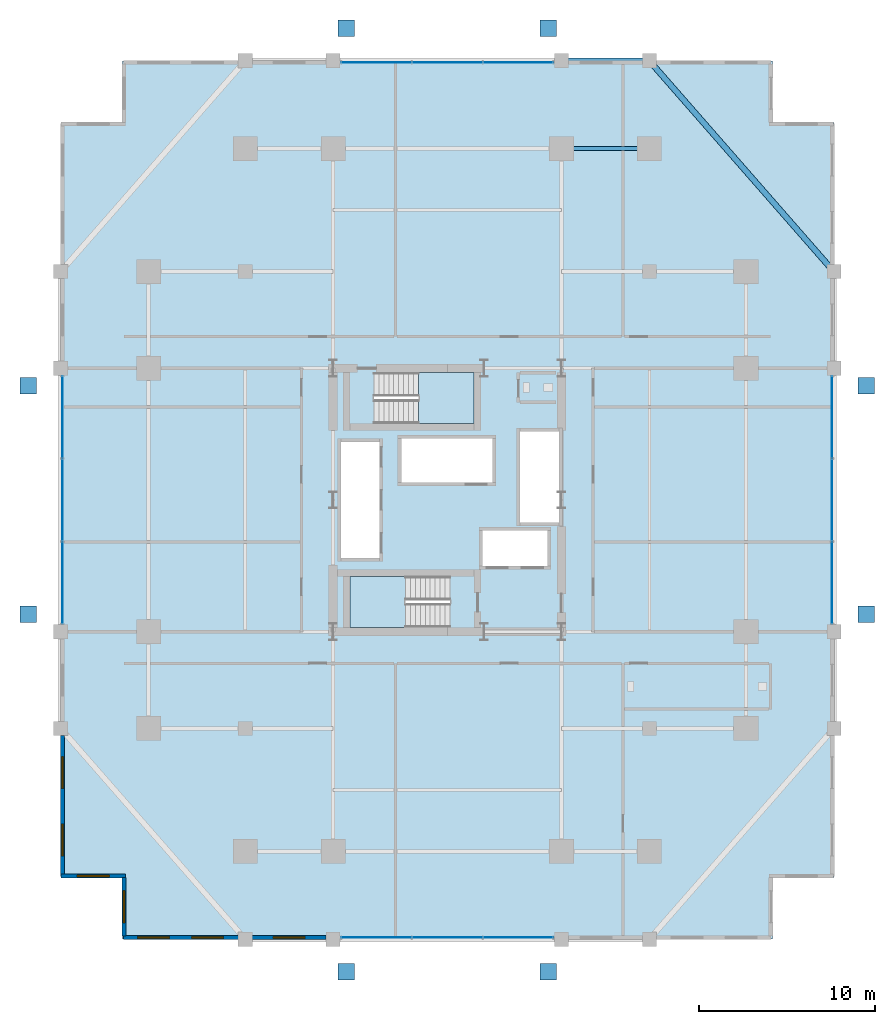
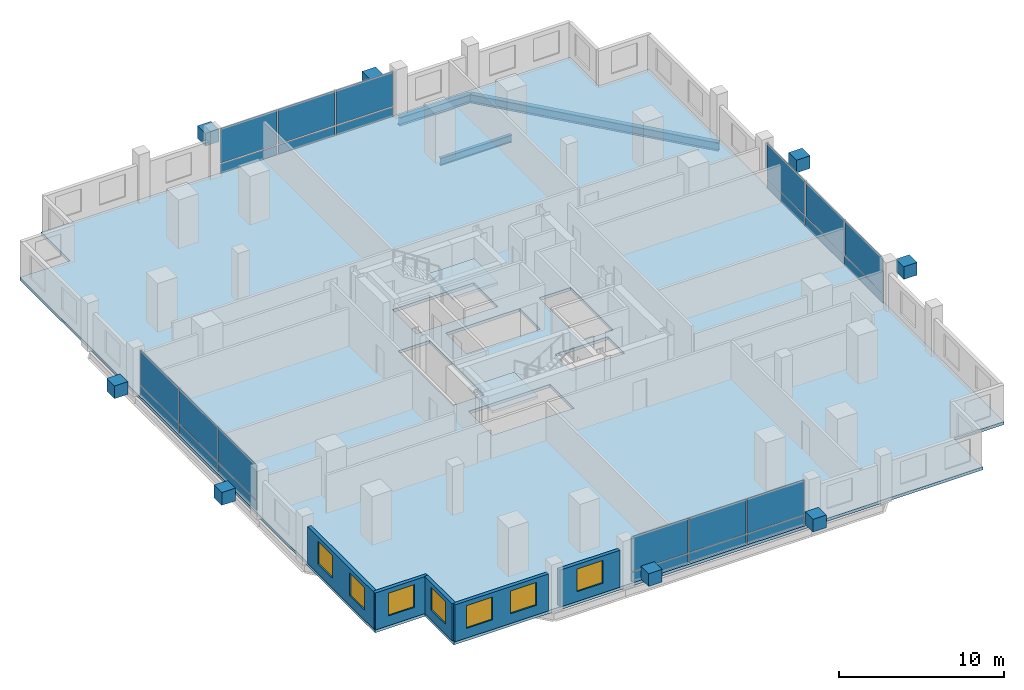
# One storey, part 16 of 21: 32 plates, 7 windows, 5 walls, 3 beams, 3 slabs, 7 openings, 6 elements without a shape of their own.
"""IFC4 building model written with IfcOpenShell, lengths in metres."""

import ifcopenshell
import ifcopenshell.guid

model = None  # the IFC model being written
_history = None  # IfcOwnerHistory: only IFC2X3 demands one
_inside = {}  # id of a spatial element -> (the spatial element, [elements in it])
_under = {}  # id of a project, library or spatial element -> (it, [spatial elements below it])
_declared = {}  # id of a project -> (the project, [libraries it declares])
_typed = {}  # id of a type object -> (the type object, [elements of that type])
_made_of = {}  # id of a material, layer set ... -> (it, [elements and type objects made of it])


def new_model(schema):
    """Start an empty IFC model of exactly this schema.

    Asked for "IFC4X3", IfcOpenShell would pick the latest addendum, in which some entities
    have other attributes; the version numbers below select the first issue.
    IFC2X3 requires an IfcOwnerHistory on every rooted entity: one is made here for all.
    """
    global model, _history
    if schema == "IFC4X3":
        model = ifcopenshell.file(schema_version=(4, 3, 0, 0))
    else:
        model = ifcopenshell.file(schema=schema)
    _inside.clear()
    _under.clear()
    _declared.clear()
    _typed.clear()
    _made_of.clear()
    _history = None
    if model.schema == "IFC2X3":
        org = make("IfcOrganization", Name="unknown")
        user = make(
            "IfcPersonAndOrganization",
            ThePerson=make("IfcPerson", FamilyName="unknown"),
            TheOrganization=org,
        )
        app = make(
            "IfcApplication",
            ApplicationDeveloper=org,
            Version="unknown",
            ApplicationFullName="unknown",
            ApplicationIdentifier="unknown",
        )
        _history = make(
            "IfcOwnerHistory",
            OwningUser=user,
            OwningApplication=app,
            ChangeAction="ADDED",
            CreationDate=0,
        )
    return model


def make(cls, **values):
    """One entity of the class cls with the attributes given. An attribute that is None is left unset."""
    return model.create_entity(
        cls, **{name: value for name, value in values.items() if value is not None}
    )


def rooted(cls, **values):
    """An entity with a GlobalId (a new one), such as an element, a storey or a relation."""
    return make(cls, GlobalId=ifcopenshell.guid.new(), OwnerHistory=_history, **values)


def si_unit(unit_type, name, prefix=None):
    """IfcSIUnit, for example si_unit("LENGTHUNIT", "METRE", prefix="MILLI")."""
    return make("IfcSIUnit", UnitType=unit_type, Prefix=prefix, Name=name)


def assignment(units):
    """IfcUnitAssignment: the units of a project."""
    return None if units is None else make("IfcUnitAssignment", Units=units)


def point(xyz):
    """IfcCartesianPoint."""
    return None if xyz is None else make("IfcCartesianPoint", Coordinates=xyz)


def direction(xyz):
    """IfcDirection."""
    return None if xyz is None else make("IfcDirection", DirectionRatios=xyz)


def frame(location, z_axis=None, x_axis=None):
    """IfcAxis2Placement3D, a coordinate frame: its origin and axes. An axis left out is left unset."""
    return make(
        "IfcAxis2Placement3D",
        Location=point(location),
        Axis=direction(z_axis),
        RefDirection=direction(x_axis),
    )


def frame_2d(location, x_axis=None):
    """IfcAxis2Placement2D, a coordinate frame in the plane: its origin and x axis."""
    return make(
        "IfcAxis2Placement2D", Location=point(location), RefDirection=direction(x_axis)
    )


def origin():
    """The frame at (0, 0, 0) with its axes left unset."""
    return frame((0.0, 0.0, 0.0))


def origin_2d():
    """The frame at (0, 0) in the plane with its x axis left unset."""
    return frame_2d((0.0, 0.0))


def place(relative_to, where):
    """IfcLocalPlacement: puts the frame where relative to a parent placement (None: the world)."""
    return make(
        "IfcLocalPlacement", PlacementRelTo=relative_to, RelativePlacement=where
    )


def context(
    kind, dimensions, precision=None, world=None, true_north=None, identifier=None
):
    """IfcGeometricRepresentationContext, for example the 3D "Model" context."""
    return make(
        "IfcGeometricRepresentationContext",
        ContextIdentifier=identifier,
        ContextType=kind,
        CoordinateSpaceDimension=dimensions,
        Precision=precision,
        WorldCoordinateSystem=world,
        TrueNorth=true_north,
    )


def subcontext(parent, identifier, kind, view, scale=None):
    """IfcGeometricRepresentationSubContext, for example "Body" below "Model"."""
    return make(
        "IfcGeometricRepresentationSubContext",
        ContextIdentifier=identifier,
        ContextType=kind,
        ParentContext=parent,
        TargetScale=scale,
        TargetView=view,
    )


def project(units=None, contexts=None):
    """IfcProject with its units and contexts."""
    return rooted(
        "IfcProject",
        Name="project",
        RepresentationContexts=contexts,
        UnitsInContext=assignment(units),
    )


def spatial(cls, under=None, at=None, **own):
    """A site, building, storey or space (cls), placed at a placement, below another one or the project."""
    s = rooted(cls, ObjectPlacement=at, **own)
    if under is not None:
        _under.setdefault(under.id(), (under, []))[1].append(s)
    return s


def polyline(points):
    """IfcPolyline through the points."""
    return make("IfcPolyline", Points=[point(p) for p in points])


def profile(cls, at=None, kind="AREA", **sizes):
    """A parametric profile (cls). Its sizes go by their IFC names, for example OverallWidth=200.0."""
    return make(cls, ProfileType=kind, Position=at, **sizes)


def rectangle(**sizes):
    """IfcRectangleProfileDef."""
    return profile("IfcRectangleProfileDef", **sizes)


def i_section(**sizes):
    """IfcIShapeProfileDef."""
    return profile("IfcIShapeProfileDef", **sizes)


def outline(outer, holes=None, kind="AREA"):
    """IfcArbitraryClosedProfileDef: a profile drawn as a closed curve; with holes, ...WithVoids."""
    if holes is None:
        return make("IfcArbitraryClosedProfileDef", ProfileType=kind, OuterCurve=outer)
    return make(
        "IfcArbitraryProfileDefWithVoids",
        ProfileType=kind,
        OuterCurve=outer,
        InnerCurves=holes,
    )


def extrude(swept, where, along, depth):
    """IfcExtrudedAreaSolid: the profile swept, set in the frame where, extruded along a direction by depth."""
    return make(
        "IfcExtrudedAreaSolid",
        SweptArea=swept,
        Position=where,
        ExtrudedDirection=direction(along),
        Depth=depth,
    )


def shape(context_of_items, identifier, shape_type, items):
    """IfcShapeRepresentation: the items that make up one representation, for example the "Body"."""
    return make(
        "IfcShapeRepresentation",
        ContextOfItems=context_of_items,
        RepresentationIdentifier=identifier,
        RepresentationType=shape_type,
        Items=items,
    )


def material(Name=None, Category=None):
    """IfcMaterial."""
    return make("IfcMaterial", Name=Name, Category=Category)


def layer(
    of_material, thickness, ventilated=None, Name=None, Category=None, Priority=None
):
    """IfcMaterialLayer: one layer of a wall or slab, of a material (None: an air gap)."""
    return make(
        "IfcMaterialLayer",
        Material=of_material,
        LayerThickness=thickness,
        IsVentilated=ventilated,
        Name=Name,
        Category=Category,
        Priority=Priority,
    )


def layer_set(layers, Name=None):
    """IfcMaterialLayerSet."""
    return make("IfcMaterialLayerSet", MaterialLayers=layers, LayerSetName=Name)


def material_profile(
    of_material, cross_section, Name=None, Category=None, Priority=None
):
    """IfcMaterialProfile: a cross section and its material."""
    return make(
        "IfcMaterialProfile",
        Name=Name,
        Material=of_material,
        Profile=cross_section,
        Priority=Priority,
        Category=Category,
    )


def profile_set(profiles, Name=None, composite=None):
    """IfcMaterialProfileSet."""
    return make(
        "IfcMaterialProfileSet",
        Name=Name,
        MaterialProfiles=profiles,
        CompositeProfile=composite,
    )


def made_of(thing, what):
    """Note that an element or type object is made of a material, layer set ...; save() writes the relation."""
    if what is not None:
        _made_of.setdefault(what.id(), (what, []))[1].append(thing)
    return thing


def type_object(cls, material=None, **own):
    """A type object (cls), such as IfcWallType, which elements share."""
    return made_of(rooted(cls, **own), material)


def element(
    cls,
    number,
    at=None,
    inside=None,
    cuts=None,
    type_object=None,
    material=None,
    context=None,
    identifier="Body",
    shape_type=None,
    held_by="IfcProductDefinitionShape",
    body=None,
    shapes=None,
    **own,
):
    """One element of the class cls, such as IfcWall. Its Tag is "e" and its number.

    at: its placement. inside: the storey or other place that contains it. cuts: it is an
    opening in that element (IfcRelVoidsElement). A single representation is given by context,
    identifier, shape_type and body (its items); several are given by shapes. held_by: the class
    of the entity that holds the representations. save() writes the other relations.
    """
    e = rooted(cls, Tag="e%d" % number, ObjectPlacement=at, **own)
    if body is not None:
        shapes = [shape(context, identifier, shape_type, body)]
    if shapes is not None:
        e.Representation = make(held_by, Representations=shapes)
    if inside is not None:
        _inside.setdefault(inside.id(), (inside, []))[1].append(e)
    if cuts is not None:
        rooted(
            "IfcRelVoidsElement", RelatingBuildingElement=cuts, RelatedOpeningElement=e
        )
    if type_object is not None:
        _typed.setdefault(type_object.id(), (type_object, []))[1].append(e)
    return made_of(e, material)


def fill(opening, filler):
    """IfcRelFillsElement: the door or window that sits in an opening."""
    return rooted(
        "IfcRelFillsElement",
        RelatingOpeningElement=opening,
        RelatedBuildingElement=filler,
    )


def aggregate(whole, parts):
    """IfcRelAggregates: a whole, such as a stair, and the parts it consists of."""
    return rooted("IfcRelAggregates", RelatingObject=whole, RelatedObjects=parts)


def save(model, path):
    """Write the relations noted so far, then the file.

    IfcRelAggregates (storeys below a building ...), IfcRelContainedInSpatialStructure (elements
    in a storey), IfcRelDefinesByType, IfcRelAssociatesMaterial and IfcRelDeclares: one each for
    every whole, place, type object, material and project.
    """
    for whole, parts in _under.values():
        aggregate(whole, parts)
    for where, things in _inside.values():
        rooted(
            "IfcRelContainedInSpatialStructure",
            RelatedElements=things,
            RelatingStructure=where,
        )
    for kind, things in _typed.values():
        rooted("IfcRelDefinesByType", RelatedObjects=things, RelatingType=kind)
    for what, things in _made_of.values():
        rooted("IfcRelAssociatesMaterial", RelatedObjects=things, RelatingMaterial=what)
    for by, libraries in _declared.values():
        rooted("IfcRelDeclares", RelatingContext=by, RelatedDefinitions=libraries)
    model.write(path)


model = new_model("IFC4")

# Units and contexts
model_context = context("Model", 3, precision=1e-05, world=origin(), true_north=direction((0.0, 1.0)))
body_context = subcontext(model_context, "Body", "Model", "MODEL_VIEW")
ifc_project = project(units=[si_unit("LENGTHUNIT", "METRE"), si_unit("AREAUNIT", "SQUARE_METRE"), si_unit("VOLUMEUNIT", "CUBIC_METRE"), si_unit("PLANEANGLEUNIT", "RADIAN"), si_unit("MASSUNIT", "GRAM", prefix="KILO")], contexts=[model_context])

# Site, building, storey
site_placement = place(None, origin())
site = spatial("IfcSite", under=ifc_project, at=site_placement, CompositionType="ELEMENT")
building_placement = place(site_placement, origin())
building = spatial("IfcBuilding", under=site, at=building_placement, Name="Barlavira Tower and Art Museum", CompositionType="ELEMENT")
storey_placement = place(building_placement, frame((0.0, 0.0, 86.39990234375)))
storey = spatial("IfcBuildingStorey", under=building, at=storey_placement, Name="L21", CompositionType="ELEMENT", Elevation=86.39990234375)

# Beams
ifc_material_1 = material(Name="Steel S355", Category="steel")
ifc_material_profile_1 = material_profile(ifc_material_1, i_section(OverallWidth=0.327880859375, OverallDepth=0.62890625, WebThickness=0.013916015625, FlangeThickness=0.021484375, at=origin_2d()), Name="W610x174.0")
ifc_profile_set_1 = profile_set([ifc_material_profile_1], Name="Steel S355")
beam_type_1 = type_object("IfcBeamType", Name="Perimeter Spandrel Edge Beam W610x174 Steel S355", PredefinedType="SPANDREL", material=ifc_profile_set_1)
beam_1_placement = place(storey_placement, frame((22.0, 13.0, -0.534423828125), z_axis=(-0.658504607869, 0.752576694707, 0.0), x_axis=(-0.752576694707, -0.658504607869, 0.0)))
element("IfcBeam", 1, at=beam_1_placement, inside=storey, type_object=beam_type_1, Name="L21 Spandrel 8", PredefinedType="SPANDREL", context=body_context, shape_type="SweptSolid", body=[
    extrude(i_section(OverallWidth=0.327880859375, OverallDepth=0.62890625, WebThickness=0.013916015625, FlangeThickness=0.021484375, at=origin_2d()), origin(), (0.0, 0.0, 1.0), 15.9453125),
])
beam_2_placement = place(storey_placement, frame((6.5, 25.0, -0.534423828125), z_axis=(1.0, 0.0, 0.0), x_axis=(0.0, 1.0, 0.0)))
element("IfcBeam", 2, at=beam_2_placement, inside=storey, type_object=beam_type_1, Name="L21 Spandrel 9", PredefinedType="SPANDREL", context=body_context, shape_type="SweptSolid", body=[
    extrude(i_section(OverallWidth=0.327880859375, OverallDepth=0.62890625, WebThickness=0.013916015625, FlangeThickness=0.021484375, at=origin_2d()), origin(), (0.0, 0.0, 1.0), 5.0),
])
ifc_material_profile_2 = material_profile(ifc_material_1, i_section(OverallWidth=0.214111328125, OverallDepth=0.549072265625, WebThickness=0.0146484375, FlangeThickness=0.023681640625, at=origin_2d()), Name="W530x138.0")
ifc_profile_set_2 = profile_set([ifc_material_profile_2], Name="Steel S355")
beam_type_2 = type_object("IfcBeamType", Name="Zone 1 Primary Floor Girder W530x138 Steel S355", PredefinedType="BEAM", material=ifc_profile_set_2)
beam_3_placement = place(storey_placement, frame((6.5, 20.0, -0.494384765625), z_axis=(1.0, 0.0, 0.0), x_axis=(0.0, 1.0, 0.0)))
element("IfcBeam", 3, at=beam_3_placement, inside=storey, type_object=beam_type_2, Name="L21 Girder M-N3", PredefinedType="BEAM", context=body_context, shape_type="SweptSolid", body=[
    extrude(i_section(OverallWidth=0.214111328125, OverallDepth=0.549072265625, WebThickness=0.0146484375, FlangeThickness=0.023681640625, at=origin_2d()), origin(), (0.0, 0.0, 1.0), 5.0),
])

# Curtain wall, plates
ifc_material_2 = material(Name="Low-iron coastal laminated glass", Category="glass")
ifc_layer_1 = layer(ifc_material_2, 0.179931640625, Name="Low-iron coastal laminated glass")
ifc_layer_set_1 = layer_set([ifc_layer_1], Name="Low-iron coastal laminated glass")
curtain_wall_type = type_object("IfcCurtainWallType", Name="Pale-Metal Unitised Curtain Wall Zone 1", PredefinedType="NOTDEFINED", material=ifc_layer_set_1)
curtain_wall_1_placement = place(storey_placement, origin())
curtain_wall_1 = element("IfcCurtainWall", 4, at=curtain_wall_1_placement, inside=storey, type_object=curtain_wall_type, Name="L21 Curtain Wall CW1-L21-S-B3", PredefinedType="NOTDEFINED")
ifc_material_3 = material(Name="Pale anodised aluminium", Category="aluminium")
ifc_layer_2 = layer(ifc_material_3, 0.044921875, Name="Pale anodised aluminium")
ifc_layer_set_2 = layer_set([ifc_layer_2], Name="Pale anodised aluminium")
plate_type_1 = type_object("IfcPlateType", Name="Curtain Wall Pale-Metal Spandrel Panel 45", PredefinedType="CURTAIN_PANEL", material=ifc_layer_set_2)
plate_1_placement = place(storey_placement, frame((-4.05322265625, -24.89990234375, 0.0400390625), z_axis=(0.0, 0.0, 1.0), x_axis=(1.0, 0.0, 0.0)))
plate_1 = element("IfcPlate", 5, at=plate_1_placement, type_object=plate_type_1, Name="CW1-L21-S-B3 Spandrel Panel 0", PredefinedType="CURTAIN_PANEL", context=body_context, shape_type="SweptSolid", body=[
    extrude(rectangle(XDim=3.953369140625, YDim=0.044921875, at=origin_2d()), origin(), (0.0, 0.0, 1.0), 0.6640625),
])
plate_2_placement = place(storey_placement, frame((0.0, -24.89990234375, 0.0400390625), z_axis=(0.0, 0.0, 1.0), x_axis=(1.0, 0.0, 0.0)))
plate_2 = element("IfcPlate", 6, at=plate_2_placement, type_object=plate_type_1, Name="CW1-L21-S-B3 Spandrel Panel 1", PredefinedType="CURTAIN_PANEL", context=body_context, shape_type="SweptSolid", body=[
    extrude(rectangle(XDim=3.953369140625, YDim=0.044921875, at=origin_2d()), origin(), (0.0, 0.0, 1.0), 0.6640625),
])
plate_3_placement = place(storey_placement, frame((4.05322265625, -24.89990234375, 0.0400390625), z_axis=(0.0, 0.0, 1.0), x_axis=(1.0, 0.0, 0.0)))
plate_3 = element("IfcPlate", 7, at=plate_3_placement, type_object=plate_type_1, Name="CW1-L21-S-B3 Spandrel Panel 2", PredefinedType="CURTAIN_PANEL", context=body_context, shape_type="SweptSolid", body=[
    extrude(rectangle(XDim=3.953369140625, YDim=0.044921875, at=origin_2d()), origin(), (0.0, 0.0, 1.0), 0.6640625),
])

curtain_wall_2_placement = place(storey_placement, origin())
curtain_wall_2 = element("IfcCurtainWall", 8, at=curtain_wall_2_placement, inside=storey, type_object=curtain_wall_type, Name="L21 Curtain Wall CW1-L21-N-B3", PredefinedType="NOTDEFINED")
plate_4_placement = place(storey_placement, frame((4.05322265625, 24.89990234375, 0.0400390625), z_axis=(0.0, 0.0, 1.0), x_axis=(-1.0, 0.0, 0.0)))
plate_4 = element("IfcPlate", 9, at=plate_4_placement, type_object=plate_type_1, Name="CW1-L21-N-B3 Spandrel Panel 0", PredefinedType="CURTAIN_PANEL", context=body_context, shape_type="SweptSolid", body=[
    extrude(rectangle(XDim=3.953369140625, YDim=0.044921875, at=origin_2d()), origin(), (0.0, 0.0, 1.0), 0.6640625),
])
plate_5_placement = place(storey_placement, frame((0.0, 24.89990234375, 0.0400390625), z_axis=(0.0, 0.0, 1.0), x_axis=(-1.0, 0.0, 0.0)))
plate_5 = element("IfcPlate", 10, at=plate_5_placement, type_object=plate_type_1, Name="CW1-L21-N-B3 Spandrel Panel 1", PredefinedType="CURTAIN_PANEL", context=body_context, shape_type="SweptSolid", body=[
    extrude(rectangle(XDim=3.953369140625, YDim=0.044921875, at=origin_2d()), origin(), (0.0, 0.0, 1.0), 0.6640625),
])
plate_6_placement = place(storey_placement, frame((-4.05322265625, 24.89990234375, 0.0400390625), z_axis=(0.0, 0.0, 1.0), x_axis=(-1.0, 0.0, 0.0)))
plate_6 = element("IfcPlate", 11, at=plate_6_placement, type_object=plate_type_1, Name="CW1-L21-N-B3 Spandrel Panel 2", PredefinedType="CURTAIN_PANEL", context=body_context, shape_type="SweptSolid", body=[
    extrude(rectangle(XDim=3.953369140625, YDim=0.044921875, at=origin_2d()), origin(), (0.0, 0.0, 1.0), 0.6640625),
])

curtain_wall_3_placement = place(storey_placement, origin())
curtain_wall_3 = element("IfcCurtainWall", 12, at=curtain_wall_3_placement, inside=storey, type_object=curtain_wall_type, Name="L21 Curtain Wall CW1-L21-W-B3", PredefinedType="NOTDEFINED")
plate_7_placement = place(storey_placement, frame((-21.89990234375, 4.719970703125, 0.0400390625), z_axis=(0.0, 0.0, 1.0), x_axis=(0.0, -1.0, 0.0)))
plate_7 = element("IfcPlate", 13, at=plate_7_placement, type_object=plate_type_1, Name="CW1-L21-W-B3 Spandrel Panel 0", PredefinedType="CURTAIN_PANEL", context=body_context, shape_type="SweptSolid", body=[
    extrude(rectangle(XDim=4.6201171875, YDim=0.044921875, at=origin_2d()), origin(), (0.0, 0.0, 1.0), 0.6640625),
])
plate_8_placement = place(storey_placement, frame((-21.89990234375, 0.0, 0.0400390625), z_axis=(0.0, 0.0, 1.0), x_axis=(0.0, -1.0, 0.0)))
plate_8 = element("IfcPlate", 14, at=plate_8_placement, type_object=plate_type_1, Name="CW1-L21-W-B3 Spandrel Panel 1", PredefinedType="CURTAIN_PANEL", context=body_context, shape_type="SweptSolid", body=[
    extrude(rectangle(XDim=4.6201171875, YDim=0.044921875, at=origin_2d()), origin(), (0.0, 0.0, 1.0), 0.6640625),
])
plate_9_placement = place(storey_placement, frame((-21.89990234375, -4.719970703125, 0.0400390625), z_axis=(0.0, 0.0, 1.0), x_axis=(0.0, -1.0, 0.0)))
plate_9 = element("IfcPlate", 15, at=plate_9_placement, type_object=plate_type_1, Name="CW1-L21-W-B3 Spandrel Panel 2", PredefinedType="CURTAIN_PANEL", context=body_context, shape_type="SweptSolid", body=[
    extrude(rectangle(XDim=4.6201171875, YDim=0.044921875, at=origin_2d()), origin(), (0.0, 0.0, 1.0), 0.6640625),
])

curtain_wall_4_placement = place(storey_placement, origin())
curtain_wall_4 = element("IfcCurtainWall", 16, at=curtain_wall_4_placement, inside=storey, type_object=curtain_wall_type, Name="L21 Curtain Wall CW1-L21-E-B3", PredefinedType="NOTDEFINED")
plate_10_placement = place(storey_placement, frame((21.89990234375, -4.719970703125, 0.0400390625), z_axis=(0.0, 0.0, 1.0), x_axis=(0.0, 1.0, 0.0)))
plate_10 = element("IfcPlate", 17, at=plate_10_placement, type_object=plate_type_1, Name="CW1-L21-E-B3 Spandrel Panel 0", PredefinedType="CURTAIN_PANEL", context=body_context, shape_type="SweptSolid", body=[
    extrude(rectangle(XDim=4.6201171875, YDim=0.044921875, at=origin_2d()), origin(), (0.0, 0.0, 1.0), 0.6640625),
])
plate_11_placement = place(storey_placement, frame((21.89990234375, 0.0, 0.0400390625), z_axis=(0.0, 0.0, 1.0), x_axis=(0.0, 1.0, 0.0)))
plate_11 = element("IfcPlate", 18, at=plate_11_placement, type_object=plate_type_1, Name="CW1-L21-E-B3 Spandrel Panel 1", PredefinedType="CURTAIN_PANEL", context=body_context, shape_type="SweptSolid", body=[
    extrude(rectangle(XDim=4.6201171875, YDim=0.044921875, at=origin_2d()), origin(), (0.0, 0.0, 1.0), 0.6640625),
])
plate_12_placement = place(storey_placement, frame((21.89990234375, 4.719970703125, 0.0400390625), z_axis=(0.0, 0.0, 1.0), x_axis=(0.0, 1.0, 0.0)))
plate_12 = element("IfcPlate", 19, at=plate_12_placement, type_object=plate_type_1, Name="CW1-L21-E-B3 Spandrel Panel 2", PredefinedType="CURTAIN_PANEL", context=body_context, shape_type="SweptSolid", body=[
    extrude(rectangle(XDim=4.6201171875, YDim=0.044921875, at=origin_2d()), origin(), (0.0, 0.0, 1.0), 0.6640625),
])

# Plate
ifc_layer_3 = layer(ifc_material_2, 0.028076171875, Name="Low-iron coastal laminated glass")
ifc_layer_set_3 = layer_set([ifc_layer_3], Name="Low-iron coastal laminated glass")
plate_type_2 = type_object("IfcPlateType", Name="Curtain Wall Vision Glazing Panel 28", PredefinedType="CURTAIN_PANEL", material=ifc_layer_set_3)
plate_13_placement = place(storey_placement, frame((-4.05322265625, -24.89990234375, 0.7841796875), z_axis=(0.0, 0.0, 1.0), x_axis=(1.0, 0.0, 0.0)))
plate_13 = element("IfcPlate", 20, at=plate_13_placement, type_object=plate_type_2, Name="CW1-L21-S-B3 Vision Glass Panel 0", PredefinedType="CURTAIN_PANEL", context=body_context, shape_type="SweptSolid", body=[
    extrude(rectangle(XDim=3.953369140625, YDim=0.028076171875, at=origin_2d()), origin(), (0.0, 0.0, 1.0), 2.555908203125),
])

plate_14_placement = place(storey_placement, frame((0.0, -24.89990234375, 0.7841796875), z_axis=(0.0, 0.0, 1.0), x_axis=(1.0, 0.0, 0.0)))
plate_14 = element("IfcPlate", 21, at=plate_14_placement, type_object=plate_type_2, Name="CW1-L21-S-B3 Vision Glass Panel 1", PredefinedType="CURTAIN_PANEL", context=body_context, shape_type="SweptSolid", body=[
    extrude(rectangle(XDim=3.953369140625, YDim=0.028076171875, at=origin_2d()), origin(), (0.0, 0.0, 1.0), 2.555908203125),
])

plate_15_placement = place(storey_placement, frame((4.05322265625, -24.89990234375, 0.7841796875), z_axis=(0.0, 0.0, 1.0), x_axis=(1.0, 0.0, 0.0)))
plate_15 = element("IfcPlate", 22, at=plate_15_placement, type_object=plate_type_2, Name="CW1-L21-S-B3 Vision Glass Panel 2", PredefinedType="CURTAIN_PANEL", context=body_context, shape_type="SweptSolid", body=[
    extrude(rectangle(XDim=3.953369140625, YDim=0.028076171875, at=origin_2d()), origin(), (0.0, 0.0, 1.0), 2.555908203125),
])

aggregate(curtain_wall_1, [plate_1, plate_13, plate_2, plate_14, plate_3, plate_15])

plate_16_placement = place(storey_placement, frame((4.05322265625, 24.89990234375, 0.7841796875), z_axis=(0.0, 0.0, 1.0), x_axis=(-1.0, 0.0, 0.0)))
plate_16 = element("IfcPlate", 23, at=plate_16_placement, type_object=plate_type_2, Name="CW1-L21-N-B3 Vision Glass Panel 0", PredefinedType="CURTAIN_PANEL", context=body_context, shape_type="SweptSolid", body=[
    extrude(rectangle(XDim=3.953369140625, YDim=0.028076171875, at=origin_2d()), origin(), (0.0, 0.0, 1.0), 2.555908203125),
])

plate_17_placement = place(storey_placement, frame((0.0, 24.89990234375, 0.7841796875), z_axis=(0.0, 0.0, 1.0), x_axis=(-1.0, 0.0, 0.0)))
plate_17 = element("IfcPlate", 24, at=plate_17_placement, type_object=plate_type_2, Name="CW1-L21-N-B3 Vision Glass Panel 1", PredefinedType="CURTAIN_PANEL", context=body_context, shape_type="SweptSolid", body=[
    extrude(rectangle(XDim=3.953369140625, YDim=0.028076171875, at=origin_2d()), origin(), (0.0, 0.0, 1.0), 2.555908203125),
])

plate_18_placement = place(storey_placement, frame((-4.05322265625, 24.89990234375, 0.7841796875), z_axis=(0.0, 0.0, 1.0), x_axis=(-1.0, 0.0, 0.0)))
plate_18 = element("IfcPlate", 25, at=plate_18_placement, type_object=plate_type_2, Name="CW1-L21-N-B3 Vision Glass Panel 2", PredefinedType="CURTAIN_PANEL", context=body_context, shape_type="SweptSolid", body=[
    extrude(rectangle(XDim=3.953369140625, YDim=0.028076171875, at=origin_2d()), origin(), (0.0, 0.0, 1.0), 2.555908203125),
])

aggregate(curtain_wall_2, [plate_4, plate_16, plate_5, plate_17, plate_6, plate_18])

plate_19_placement = place(storey_placement, frame((-21.89990234375, 4.719970703125, 0.7841796875), z_axis=(0.0, 0.0, 1.0), x_axis=(0.0, -1.0, 0.0)))
plate_19 = element("IfcPlate", 26, at=plate_19_placement, type_object=plate_type_2, Name="CW1-L21-W-B3 Vision Glass Panel 0", PredefinedType="CURTAIN_PANEL", context=body_context, shape_type="SweptSolid", body=[
    extrude(rectangle(XDim=4.6201171875, YDim=0.028076171875, at=origin_2d()), origin(), (0.0, 0.0, 1.0), 2.555908203125),
])

plate_20_placement = place(storey_placement, frame((-21.89990234375, 0.0, 0.7841796875), z_axis=(0.0, 0.0, 1.0), x_axis=(0.0, -1.0, 0.0)))
plate_20 = element("IfcPlate", 27, at=plate_20_placement, type_object=plate_type_2, Name="CW1-L21-W-B3 Vision Glass Panel 1", PredefinedType="CURTAIN_PANEL", context=body_context, shape_type="SweptSolid", body=[
    extrude(rectangle(XDim=4.6201171875, YDim=0.028076171875, at=origin_2d()), origin(), (0.0, 0.0, 1.0), 2.555908203125),
])

plate_21_placement = place(storey_placement, frame((-21.89990234375, -4.719970703125, 0.7841796875), z_axis=(0.0, 0.0, 1.0), x_axis=(0.0, -1.0, 0.0)))
plate_21 = element("IfcPlate", 28, at=plate_21_placement, type_object=plate_type_2, Name="CW1-L21-W-B3 Vision Glass Panel 2", PredefinedType="CURTAIN_PANEL", context=body_context, shape_type="SweptSolid", body=[
    extrude(rectangle(XDim=4.6201171875, YDim=0.028076171875, at=origin_2d()), origin(), (0.0, 0.0, 1.0), 2.555908203125),
])

aggregate(curtain_wall_3, [plate_7, plate_19, plate_8, plate_20, plate_9, plate_21])

plate_22_placement = place(storey_placement, frame((21.89990234375, -4.719970703125, 0.7841796875), z_axis=(0.0, 0.0, 1.0), x_axis=(0.0, 1.0, 0.0)))
plate_22 = element("IfcPlate", 29, at=plate_22_placement, type_object=plate_type_2, Name="CW1-L21-E-B3 Vision Glass Panel 0", PredefinedType="CURTAIN_PANEL", context=body_context, shape_type="SweptSolid", body=[
    extrude(rectangle(XDim=4.6201171875, YDim=0.028076171875, at=origin_2d()), origin(), (0.0, 0.0, 1.0), 2.555908203125),
])

plate_23_placement = place(storey_placement, frame((21.89990234375, 0.0, 0.7841796875), z_axis=(0.0, 0.0, 1.0), x_axis=(0.0, 1.0, 0.0)))
plate_23 = element("IfcPlate", 30, at=plate_23_placement, type_object=plate_type_2, Name="CW1-L21-E-B3 Vision Glass Panel 1", PredefinedType="CURTAIN_PANEL", context=body_context, shape_type="SweptSolid", body=[
    extrude(rectangle(XDim=4.6201171875, YDim=0.028076171875, at=origin_2d()), origin(), (0.0, 0.0, 1.0), 2.555908203125),
])

plate_24_placement = place(storey_placement, frame((21.89990234375, 4.719970703125, 0.7841796875), z_axis=(0.0, 0.0, 1.0), x_axis=(0.0, 1.0, 0.0)))
plate_24 = element("IfcPlate", 31, at=plate_24_placement, type_object=plate_type_2, Name="CW1-L21-E-B3 Vision Glass Panel 2", PredefinedType="CURTAIN_PANEL", context=body_context, shape_type="SweptSolid", body=[
    extrude(rectangle(XDim=4.6201171875, YDim=0.028076171875, at=origin_2d()), origin(), (0.0, 0.0, 1.0), 2.555908203125),
])

aggregate(curtain_wall_4, [plate_10, plate_22, plate_11, plate_23, plate_12, plate_24])

# Plates
ifc_layer_4 = layer(ifc_material_1, 0.93994140625, Name="Steel S355")
ifc_layer_set_4 = layer_set([ifc_layer_4], Name="Steel S355")
plate_type_3 = type_object("IfcPlateType", Name="Exoskeleton Solid Steel Node Cap Plate Assembly Type 1 Steel S355", PredefinedType="USERDEFINED", material=ifc_layer_set_4)
for number, where, z_axis, x_axis, name in (
    (32, (-5.75, -26.85009765625, 1.210205078125), (0.0, 0.0, 1.0), (1.0, 0.0, 0.0), "Exoskeleton Diamond Node S1 ND-L21-0176"),
    (33, (5.75, -26.85009765625, 1.210205078125), (0.0, 0.0, 1.0), (1.0, 0.0, 0.0), "Exoskeleton Diamond Node S2 ND-L21-0177"),
    (34, (-5.75, 26.85009765625, 1.210205078125), (0.0, 0.0, 1.0), (1.0, 0.0, 0.0), "Exoskeleton Diamond Node N1 ND-L21-0184"),
    (35, (5.75, 26.85009765625, 1.210205078125), (0.0, 0.0, 1.0), (1.0, 0.0, 0.0), "Exoskeleton Diamond Node N2 ND-L21-0185"),
    (36, (-23.85009765625, -6.5, 1.210205078125), (0.0, 0.0, 1.0), (1.0, 0.0, 0.0), "Exoskeleton Diamond Node W1 ND-L21-0192"),
    (37, (-23.85009765625, 6.5, 1.210205078125), (0.0, 0.0, 1.0), (1.0, 0.0, 0.0), "Exoskeleton Diamond Node W2 ND-L21-0193"),
    (38, (23.85009765625, -6.5, 1.210205078125), (0.0, 0.0, 1.0), (1.0, 0.0, 0.0), "Exoskeleton Diamond Node E1 ND-L21-0200"),
    (39, (23.85009765625, 6.5, 1.210205078125), (0.0, 0.0, 1.0), (1.0, 0.0, 0.0), "Exoskeleton Diamond Node E2 ND-L21-0201"),
):
    element("IfcPlate", number, at=place(storey_placement, frame(where, z_axis=z_axis, x_axis=x_axis)), inside=storey, type_object=plate_type_3, Name=name, ObjectType="FLANGE_PLATE", PredefinedType="USERDEFINED", context=body_context, shape_type="SweptSolid", body=[
        extrude(rectangle(XDim=0.93994140625, YDim=0.93994140625, at=origin_2d()), origin(), (0.0, 0.0, 1.0), 0.93994140625),
    ])

# Stair, slab
ifc_material_4 = material(Name="Concrete C45", Category="concrete")
stair_type_1 = type_object("IfcStairType", Name="Tower North Dog-Leg Exit Stair Assembly Concrete C45", PredefinedType="TWO_QUARTER_TURN_STAIR", material=ifc_material_4)
stair_1_placement = place(storey_placement, origin())
stair_1 = element("IfcStair", 40, at=stair_1_placement, inside=storey, type_object=stair_type_1, Name="L21 Tower North Exit Stair ST-T2", PredefinedType="TWO_QUARTER_TURN_STAIR")
ifc_layer_5 = layer(ifc_material_4, 0.199951171875, Name="Concrete C45")
ifc_layer_set_5 = layer_set([ifc_layer_5], Name="Concrete C45")
slab_type_1 = type_object("IfcSlabType", Name="Tower North Dog-Leg Exit Stair Half-Landing Slab 200 Concrete C45", PredefinedType="LANDING", material=ifc_layer_set_5)
slab_1_placement = place(storey_placement, frame((0.0, 0.0, 1.60009765625)))
slab_1 = element("IfcSlab", 41, at=slab_1_placement, type_object=slab_type_1, Name="ST-T2 landing 1", PredefinedType="LANDING", context=body_context, shape_type="SweptSolid", body=[
    extrude(outline(polyline([(-1.64990234375, 4.35009765625), (1.530029296875, 4.35009765625), (1.530029296875, 7.25), (-1.64990234375, 7.25), (-1.64990234375, 4.35009765625)])), origin(), (0.0, 0.0, 1.0), 0.199951171875),
])
aggregate(stair_1, [slab_1])

stair_type_2 = type_object("IfcStairType", Name="Tower South Dog-Leg Exit Stair Assembly Concrete C45", PredefinedType="TWO_QUARTER_TURN_STAIR", material=ifc_material_4)
stair_2_placement = place(storey_placement, origin())
stair_2 = element("IfcStair", 42, at=stair_2_placement, inside=storey, type_object=stair_type_2, Name="L21 Tower South Exit Stair ST-T1", PredefinedType="TWO_QUARTER_TURN_STAIR")
ifc_layer_6 = layer(ifc_material_4, 0.199951171875, Name="Concrete C45")
ifc_layer_set_6 = layer_set([ifc_layer_6], Name="Concrete C45")
slab_type_2 = type_object("IfcSlabType", Name="Tower South Dog-Leg Exit Stair Half-Landing Slab 200 Concrete C45", PredefinedType="LANDING", material=ifc_layer_set_6)
slab_2_placement = place(storey_placement, frame((0.0, 0.0, 1.60009765625)))
slab_2 = element("IfcSlab", 43, at=slab_2_placement, type_object=slab_type_2, Name="ST-T1 landing 1", PredefinedType="LANDING", context=body_context, shape_type="SweptSolid", body=[
    extrude(outline(polyline([(-2.3701171875, -4.35009765625), (-5.550048828125, -4.35009765625), (-5.550048828125, -7.25), (-2.3701171875, -7.25), (-2.3701171875, -4.35009765625)])), origin(), (0.0, 0.0, 1.0), 0.199951171875),
])
aggregate(stair_2, [slab_2])

# Slab
ifc_material_5 = material(Name="Concrete C50", Category="concrete")
ifc_layer_7 = layer(ifc_material_5, 0.219970703125, Name="Concrete C50")
ifc_layer_set_7 = layer_set([ifc_layer_7], Name="Concrete C50")
slab_type_3 = type_object("IfcSlabType", Name="Zone 1 Residential Composite Slab 220 Concrete C50", PredefinedType="FLOOR", material=ifc_layer_set_7)
slab_3_placement = place(storey_placement, frame((0.0, 0.0, -0.219970703125)))
element("IfcSlab", 44, at=slab_3_placement, inside=storey, type_object=slab_type_3, Name="L21 Tower Floor Slab", PredefinedType="FLOOR", context=body_context, shape_type="SweptSolid", body=[
    extrude(outline(polyline([(-18.5, -25.0), (18.5, -25.0), (18.5, -21.5), (22.0, -21.5), (22.0, 21.5), (18.5, 21.5), (18.5, 25.0), (-18.5, 25.0), (-18.5, 21.5), (-22.0, 21.5), (-22.0, -21.5), (-18.5, -21.5), (-18.5, -25.0)]), holes=[polyline([(0.14990234375, -4.35009765625), (-5.550048828125, -4.35009765625), (-5.550048828125, -7.25), (0.14990234375, -7.25), (0.14990234375, -4.35009765625)]), polyline([(-4.169921875, 4.35009765625), (1.530029296875, 4.35009765625), (1.530029296875, 7.25), (-4.169921875, 7.25), (-4.169921875, 4.35009765625)]), polyline([(-6.050048828125, -3.31005859375), (-3.85009765625, -3.31005859375), (-3.85009765625, 3.31005859375), (-6.050048828125, 3.31005859375), (-6.050048828125, -3.31005859375)]), polyline([(4.14990234375, -1.2900390625), (6.35009765625, -1.2900390625), (6.35009765625, 3.889892578125), (4.14990234375, 3.889892578125), (4.14990234375, -1.2900390625)]), polyline([(-2.6201171875, 1.0), (2.56005859375, 1.0), (2.56005859375, 3.5), (-2.6201171875, 3.5), (-2.6201171875, 1.0)]), polyline([(2.0, -3.75), (5.699951171875, -3.75), (5.699951171875, -1.75), (2.0, -1.75), (2.0, -3.75)])]), origin(), (0.0, 0.0, 1.0), 0.219970703125),
])

# Wall, openings, windows
ifc_material_6 = material(Name="Precast concrete C40", Category="concrete")
ifc_layer_8 = layer(ifc_material_6, 0.25, Name="Precast concrete C40")
ifc_layer_set_8 = layer_set([ifc_layer_8], Name="Precast concrete C40")
wall_type = type_object("IfcWallType", Name="Notched Corner Spandrel Wall 250 Precast Concrete C40", PredefinedType="SOLIDWALL", material=ifc_layer_set_8)
wall_1_placement = place(storey_placement, frame((-18.425048828125, -24.89990234375, 0.0), z_axis=(0.0, 0.0, 1.0), x_axis=(1.0, 0.0, 0.0)))
wall_1 = element("IfcWall", 45, at=wall_1_placement, inside=storey, type_object=wall_type, Name="L21 Coastal Facade Pier Wall CW1-L21-S-1", PredefinedType="SOLIDWALL", context=body_context, shape_type="SweptSolid", body=[
    extrude(rectangle(XDim=6.530029296875, YDim=0.25, at=frame_2d((3.26513671875, 0.0))), origin(), (0.0, 0.0, 1.0), 2.736083984375),
])
opening_1_placement = place(wall_1_placement, frame((0.801025390625, 0.0, 0.719970703125)))
opening_1 = element("IfcOpeningElement", 46, at=opening_1_placement, cuts=wall_1, Name="Opening WN-01", PredefinedType="OPENING", context=body_context, shape_type="SweptSolid", body=[
    extrude(rectangle(XDim=1.800048828125, YDim=1.679931640625, at=frame_2d((0.89990234375, 0.83984375))), frame((0.0, 0.135009765625, 0.0), z_axis=(0.0, -1.0, 0.0), x_axis=(1.0, 0.0, 0.0)), (0.0, 0.0, 1.0), 0.27001953125),
])
opening_2_placement = place(wall_1_placement, frame((3.884033203125, 0.0, 0.719970703125)))
opening_2 = element("IfcOpeningElement", 47, at=opening_2_placement, cuts=wall_1, Name="Opening WN-01", PredefinedType="OPENING", context=body_context, shape_type="SweptSolid", body=[
    extrude(rectangle(XDim=1.800048828125, YDim=1.679931640625, at=frame_2d((0.89990234375, 0.83984375))), frame((0.0, 0.135009765625, 0.0), z_axis=(0.0, -1.0, 0.0), x_axis=(1.0, 0.0, 0.0)), (0.0, 0.0, 1.0), 0.27001953125),
])
window_type = type_object("IfcWindowType", Name="Recessed Notch Corner Punch Window 1800x1680", PartitioningType="SINGLE_PANEL", PredefinedType="WINDOW", material=ifc_material_2)
window_1_placement = place(opening_1_placement, origin())
window_1 = element("IfcWindow", 48, at=window_1_placement, inside=storey, type_object=window_type, Name="L21 Punched Facade Window EWP-CW1-L21-S-1-1", OverallHeight=1.679931640625, OverallWidth=1.800048828125, PartitioningType="SINGLE_PANEL", PredefinedType="WINDOW", context=body_context, shape_type="SweptSolid", body=[
    extrude(rectangle(XDim=1.800048828125, YDim=1.679931640625, at=frame_2d((0.89990234375, 0.83984375))), frame((0.0, 0.030029296875, 0.0), z_axis=(0.0, -1.0, 0.0), x_axis=(1.0, 0.0, 0.0)), (0.0, 0.0, 1.0), 0.06005859375),
])
fill(opening_1, window_1)
window_2_placement = place(opening_2_placement, origin())
window_2 = element("IfcWindow", 49, at=window_2_placement, inside=storey, type_object=window_type, Name="L21 Punched Facade Window EWP-CW1-L21-S-1-2", OverallHeight=1.679931640625, OverallWidth=1.800048828125, PartitioningType="SINGLE_PANEL", PredefinedType="WINDOW", context=body_context, shape_type="SweptSolid", body=[
    extrude(rectangle(XDim=1.800048828125, YDim=1.679931640625, at=frame_2d((0.89990234375, 0.83984375))), frame((0.0, 0.030029296875, 0.0), z_axis=(0.0, -1.0, 0.0), x_axis=(1.0, 0.0, 0.0)), (0.0, 0.0, 1.0), 0.06005859375),
])
fill(opening_2, window_2)

# Wall, opening, window
wall_2_placement = place(storey_placement, frame((-11.10498046875, -24.89990234375, 0.0), z_axis=(0.0, 0.0, 1.0), x_axis=(1.0, 0.0, 0.0)))
wall_2 = element("IfcWall", 50, at=wall_2_placement, inside=storey, type_object=wall_type, Name="L21 Coastal Facade Pier Wall CW1-L21-S-2", PredefinedType="SOLIDWALL", context=body_context, shape_type="SweptSolid", body=[
    extrude(rectangle(XDim=4.2099609375, YDim=0.25, at=frame_2d((2.10498046875, 0.0))), origin(), (0.0, 0.0, 1.0), 2.736083984375),
])
opening_3_placement = place(wall_2_placement, frame((1.205078125, 0.0, 0.719970703125)))
opening_3 = element("IfcOpeningElement", 51, at=opening_3_placement, cuts=wall_2, Name="Opening WN-01", PredefinedType="OPENING", context=body_context, shape_type="SweptSolid", body=[
    extrude(rectangle(XDim=1.800048828125, YDim=1.679931640625, at=frame_2d((0.89990234375, 0.83984375))), frame((0.0, 0.135009765625, 0.0), z_axis=(0.0, -1.0, 0.0), x_axis=(1.0, 0.0, 0.0)), (0.0, 0.0, 1.0), 0.27001953125),
])
window_3_placement = place(opening_3_placement, origin())
window_3 = element("IfcWindow", 52, at=window_3_placement, inside=storey, type_object=window_type, Name="L21 Punched Facade Window EWP-CW1-L21-S-2-1", OverallHeight=1.679931640625, OverallWidth=1.800048828125, PartitioningType="SINGLE_PANEL", PredefinedType="WINDOW", context=body_context, shape_type="SweptSolid", body=[
    extrude(rectangle(XDim=1.800048828125, YDim=1.679931640625, at=frame_2d((0.89990234375, 0.83984375))), frame((0.0, 0.030029296875, 0.0), z_axis=(0.0, -1.0, 0.0), x_axis=(1.0, 0.0, 0.0)), (0.0, 0.0, 1.0), 0.06005859375),
])
fill(opening_3, window_3)

# Wall, openings, windows
wall_3_placement = place(storey_placement, frame((-21.89990234375, -13.39501953125, 0.0), z_axis=(0.0, 0.0, 1.0), x_axis=(0.0, -1.0, 0.0)))
wall_3 = element("IfcWall", 53, at=wall_3_placement, inside=storey, type_object=wall_type, Name="L21 Coastal Facade Pier Wall CW1-L21-W-5", PredefinedType="SOLIDWALL", context=body_context, shape_type="SweptSolid", body=[
    extrude(rectangle(XDim=8.030029296875, YDim=0.25, at=frame_2d((4.01513671875, 0.0))), origin(), (0.0, 0.0, 1.0), 2.736083984375),
])
opening_4_placement = place(wall_3_placement, frame((1.220947265625, 0.0, 0.719970703125)))
opening_4 = element("IfcOpeningElement", 54, at=opening_4_placement, cuts=wall_3, Name="Opening WN-01", PredefinedType="OPENING", context=body_context, shape_type="SweptSolid", body=[
    extrude(rectangle(XDim=1.800048828125, YDim=1.679931640625, at=frame_2d((0.89990234375, 0.83984375))), frame((0.0, 0.135009765625, 0.0), z_axis=(0.0, -1.0, 0.0), x_axis=(1.0, 0.0, 0.0)), (0.0, 0.0, 1.0), 0.27001953125),
])
opening_5_placement = place(wall_3_placement, frame((5.053955078125, 0.0, 0.719970703125)))
opening_5 = element("IfcOpeningElement", 55, at=opening_5_placement, cuts=wall_3, Name="Opening WN-01", PredefinedType="OPENING", context=body_context, shape_type="SweptSolid", body=[
    extrude(rectangle(XDim=1.800048828125, YDim=1.679931640625, at=frame_2d((0.89990234375, 0.83984375))), frame((0.0, 0.135009765625, 0.0), z_axis=(0.0, -1.0, 0.0), x_axis=(1.0, 0.0, 0.0)), (0.0, 0.0, 1.0), 0.27001953125),
])
window_4_placement = place(opening_4_placement, origin())
window_4 = element("IfcWindow", 56, at=window_4_placement, inside=storey, type_object=window_type, Name="L21 Punched Facade Window EWP-CW1-L21-W-5-1", OverallHeight=1.679931640625, OverallWidth=1.800048828125, PartitioningType="SINGLE_PANEL", PredefinedType="WINDOW", context=body_context, shape_type="SweptSolid", body=[
    extrude(rectangle(XDim=1.800048828125, YDim=1.679931640625, at=frame_2d((0.89990234375, 0.83984375))), frame((0.0, 0.030029296875, 0.0), z_axis=(0.0, -1.0, 0.0), x_axis=(1.0, 0.0, 0.0)), (0.0, 0.0, 1.0), 0.06005859375),
])
fill(opening_4, window_4)
window_5_placement = place(opening_5_placement, origin())
window_5 = element("IfcWindow", 57, at=window_5_placement, inside=storey, type_object=window_type, Name="L21 Punched Facade Window EWP-CW1-L21-W-5-2", OverallHeight=1.679931640625, OverallWidth=1.800048828125, PartitioningType="SINGLE_PANEL", PredefinedType="WINDOW", context=body_context, shape_type="SweptSolid", body=[
    extrude(rectangle(XDim=1.800048828125, YDim=1.679931640625, at=frame_2d((0.89990234375, 0.83984375))), frame((0.0, 0.030029296875, 0.0), z_axis=(0.0, -1.0, 0.0), x_axis=(1.0, 0.0, 0.0)), (0.0, 0.0, 1.0), 0.06005859375),
])
fill(opening_5, window_5)

# Wall, opening, window
wall_4_placement = place(storey_placement, frame((-21.97998046875, -21.39990234375, 0.0), z_axis=(0.0, 0.0, 1.0), x_axis=(1.0, 0.0, 0.0)))
wall_4 = element("IfcWall", 58, at=wall_4_placement, inside=storey, type_object=wall_type, Name="L21 Notch Corner Wall SW1", PredefinedType="SOLIDWALL", context=body_context, shape_type="SweptSolid", body=[
    extrude(rectangle(XDim=3.659912109375, YDim=0.25, at=frame_2d((1.830078125, 0.0))), origin(), (0.0, 0.0, 1.0), 2.736083984375),
])
opening_6_placement = place(wall_4_placement, frame((0.929931640625, 0.0, 0.719970703125)))
opening_6 = element("IfcOpeningElement", 59, at=opening_6_placement, cuts=wall_4, Name="Opening WN-01", PredefinedType="OPENING", context=body_context, shape_type="SweptSolid", body=[
    extrude(rectangle(XDim=1.800048828125, YDim=1.679931640625, at=frame_2d((0.89990234375, 0.83984375))), frame((0.0, 0.135009765625, 0.0), z_axis=(0.0, -1.0, 0.0), x_axis=(1.0, 0.0, 0.0)), (0.0, 0.0, 1.0), 0.27001953125),
])
window_6_placement = place(opening_6_placement, origin())
window_6 = element("IfcWindow", 60, at=window_6_placement, inside=storey, type_object=window_type, Name="L21 Punched Facade Window EW-NTC-L21-SW1-1", OverallHeight=1.679931640625, OverallWidth=1.800048828125, PartitioningType="SINGLE_PANEL", PredefinedType="WINDOW", context=body_context, shape_type="SweptSolid", body=[
    extrude(rectangle(XDim=1.800048828125, YDim=1.679931640625, at=frame_2d((0.89990234375, 0.83984375))), frame((0.0, 0.030029296875, 0.0), z_axis=(0.0, -1.0, 0.0), x_axis=(1.0, 0.0, 0.0)), (0.0, 0.0, 1.0), 0.06005859375),
])
fill(opening_6, window_6)

wall_5_placement = place(storey_placement, frame((-18.39990234375, -21.47998046875, 0.0), z_axis=(0.0, 0.0, 1.0), x_axis=(0.0, -1.0, 0.0)))
wall_5 = element("IfcWall", 61, at=wall_5_placement, inside=storey, type_object=wall_type, Name="L21 Notch Corner Wall SW2", PredefinedType="SOLIDWALL", context=body_context, shape_type="SweptSolid", body=[
    extrude(rectangle(XDim=3.340087890625, YDim=0.25, at=frame_2d((1.669921875, 0.0))), origin(), (0.0, 0.0, 1.0), 2.736083984375),
])
opening_7_placement = place(wall_5_placement, frame((0.77001953125, 0.0, 0.719970703125)))
opening_7 = element("IfcOpeningElement", 62, at=opening_7_placement, cuts=wall_5, Name="Opening WN-01", PredefinedType="OPENING", context=body_context, shape_type="SweptSolid", body=[
    extrude(rectangle(XDim=1.800048828125, YDim=1.679931640625, at=frame_2d((0.89990234375, 0.83984375))), frame((0.0, 0.135009765625, 0.0), z_axis=(0.0, -1.0, 0.0), x_axis=(1.0, 0.0, 0.0)), (0.0, 0.0, 1.0), 0.27001953125),
])
window_7_placement = place(opening_7_placement, origin())
window_7 = element("IfcWindow", 63, at=window_7_placement, inside=storey, type_object=window_type, Name="L21 Punched Facade Window EW-NTC-L21-SW2-1", OverallHeight=1.679931640625, OverallWidth=1.800048828125, PartitioningType="SINGLE_PANEL", PredefinedType="WINDOW", context=body_context, shape_type="SweptSolid", body=[
    extrude(rectangle(XDim=1.800048828125, YDim=1.679931640625, at=frame_2d((0.89990234375, 0.83984375))), frame((0.0, 0.030029296875, 0.0), z_axis=(0.0, -1.0, 0.0), x_axis=(1.0, 0.0, 0.0)), (0.0, 0.0, 1.0), 0.06005859375),
])
fill(opening_7, window_7)

save(model, "model.ifc")
